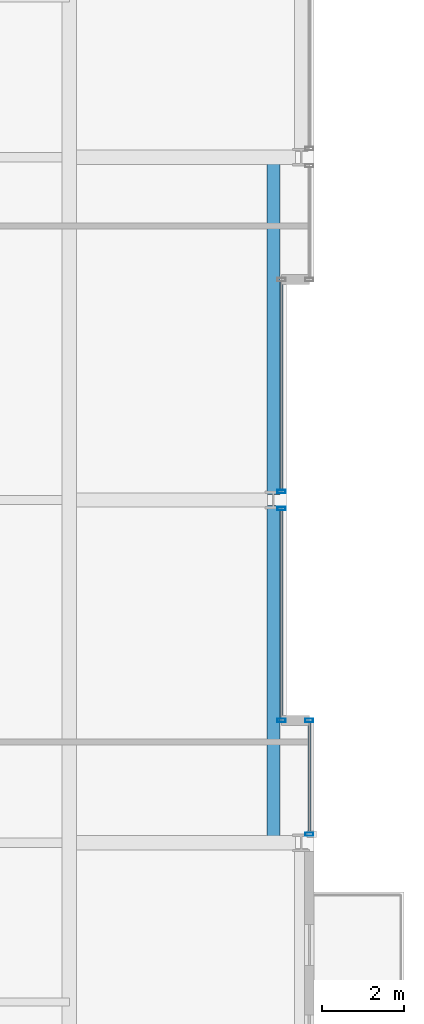
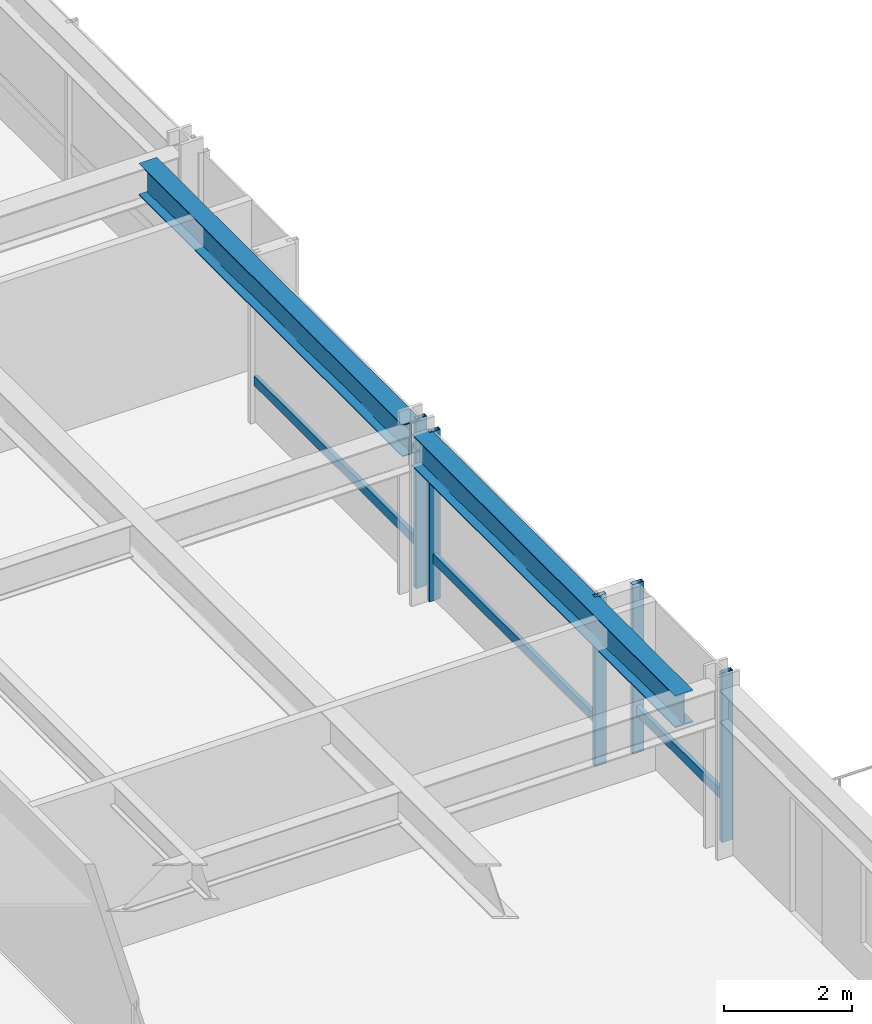
# One storey, part 15 of 33: 8 members, 2 beams, 3 elements without a shape of their own.
"""IFC4 building model written with IfcOpenShell, lengths in metres."""

from ifc_helpers import new_model, si_unit, direction, frame, origin, origin_2d, place, context, subcontext, project, spatial, hollow_rectangle, i_section, extrude, material, layer, layer_set, material_profile, profile_set, type_object, element, aggregate, save


model = new_model("IFC4")

# Units and contexts
model_context = context("Model", 3, precision=1e-05, world=origin(), true_north=direction((0.0, 1.0)))
body_context = subcontext(model_context, "Body", "Model", "MODEL_VIEW")
ifc_project = project(units=[si_unit("LENGTHUNIT", "METRE"), si_unit("AREAUNIT", "SQUARE_METRE"), si_unit("VOLUMEUNIT", "CUBIC_METRE"), si_unit("PLANEANGLEUNIT", "RADIAN"), si_unit("MASSUNIT", "GRAM", prefix="KILO")], contexts=[model_context])

# Site, building, storey
site_placement = place(None, origin())
site = spatial("IfcSite", under=ifc_project, at=site_placement, CompositionType="ELEMENT")
building_placement = place(site_placement, origin())
building = spatial("IfcBuilding", under=site, at=building_placement, Name="Drelvath Grand Hotel", CompositionType="ELEMENT")
storey_placement = place(building_placement, frame((0.0, 0.0, 119.800048828125)))
storey = spatial("IfcBuildingStorey", under=building, at=storey_placement, Name="L30", CompositionType="ELEMENT", Elevation=119.800048828125)

# Curtain wall, member
ifc_material_1 = material(Name="Champagne Bronze Anodised Aluminium Frame", Category="aluminium")
ifc_layer = layer(ifc_material_1, 0.199951171875)
ifc_layer_set = layer_set([ifc_layer], Name="Champagne Bronze Anodised Aluminium Frame")
curtain_wall_type = type_object("IfcCurtainWallType", Name="Stick Curtain Wall CW-03 Champagne Bronze Mid-Rise", PredefinedType="NOTDEFINED", material=ifc_layer_set)
curtain_wall_1_placement = place(storey_placement, origin())
curtain_wall_1 = element("IfcCurtainWall", 1, at=curtain_wall_1_placement, inside=storey, type_object=curtain_wall_type, Name="L30 CW-03 Curtain Wall CW03-L30-EM1", PredefinedType="NOTDEFINED")
ifc_material_profile_1 = material_profile(ifc_material_1, hollow_rectangle(XDim=0.074951171875, YDim=0.179931640625, WallThickness=0.0048828125, at=origin_2d()), Name="HSS180X75X5")
ifc_profile_set_1 = profile_set([ifc_material_profile_1], Name="Champagne Bronze Anodised Aluminium Frame")
member_type_1 = type_object("IfcMemberType", Name="Curtain Wall Horizontal Transom CW-03 HSS180X75X5", PredefinedType="USERDEFINED", material=ifc_profile_set_1)
member_1_placement = place(storey_placement, frame((21.39990234375, 26.75048828125, 0.81005859375), z_axis=(0.0, -1.0, 0.0), x_axis=(1.0, 0.0, 0.0)))
member_1 = element("IfcMember", 2, at=member_1_placement, type_object=member_type_1, Name="CW03-L30-EM1 Sill Transom", ObjectType="TRANSOM", PredefinedType="USERDEFINED", context=body_context, shape_type="SweptSolid", body=[
    extrude(hollow_rectangle(XDim=0.074951171875, YDim=0.179931640625, WallThickness=0.0048828125, at=origin_2d()), origin(), (0.0, 0.0, 1.0), 5.110595703125),
])

curtain_wall_2_placement = place(storey_placement, origin())
curtain_wall_2 = element("IfcCurtainWall", 3, at=curtain_wall_2_placement, inside=storey, type_object=curtain_wall_type, Name="L30 CW-03 Curtain Wall CW03-L30-EM2", PredefinedType="NOTDEFINED")
member_2_placement = place(storey_placement, frame((21.39990234375, 32.360107421875, 0.81005859375), z_axis=(0.0, -1.0, 0.0), x_axis=(1.0, 0.0, 0.0)))
member_2 = element("IfcMember", 4, at=member_2_placement, type_object=member_type_1, Name="CW03-L30-EM2 Sill Transom", ObjectType="TRANSOM", PredefinedType="USERDEFINED", context=body_context, shape_type="SweptSolid", body=[
    extrude(hollow_rectangle(XDim=0.074951171875, YDim=0.179931640625, WallThickness=0.0048828125, at=origin_2d()), origin(), (0.0, 0.0, 1.0), 5.110595703125),
])

curtain_wall_3_placement = place(storey_placement, origin())
curtain_wall_3 = element("IfcCurtainWall", 5, at=curtain_wall_3_placement, inside=storey, type_object=curtain_wall_type, Name="L30 CW-03 Curtain Wall CW03-L30-ES3", PredefinedType="NOTDEFINED")
member_3_placement = place(storey_placement, frame((22.080078125, 21.56005859375, 0.81005859375), z_axis=(0.0, -1.0, 0.0), x_axis=(1.0, 0.0, 0.0)))
member_3 = element("IfcMember", 6, at=member_3_placement, type_object=member_type_1, Name="CW03-L30-ES3 Sill Transom", ObjectType="TRANSOM", PredefinedType="USERDEFINED", context=body_context, shape_type="SweptSolid", body=[
    extrude(hollow_rectangle(XDim=0.074951171875, YDim=0.179931640625, WallThickness=0.0048828125, at=origin_2d()), origin(), (0.0, 0.0, 1.0), 2.710693359375),
])

# Member
ifc_material_profile_2 = material_profile(ifc_material_1, hollow_rectangle(XDim=0.080078125, YDim=0.199951171875, WallThickness=0.0048828125, at=origin_2d()), Name="HSS200X80X5")
ifc_profile_set_2 = profile_set([ifc_material_profile_2], Name="Champagne Bronze Anodised Aluminium Frame")
member_type_2 = type_object("IfcMemberType", Name="Curtain Wall Vertical Mullion CW-03 HSS200X80X5", PredefinedType="MULLION", material=ifc_profile_set_2)
member_4_placement = place(storey_placement, frame((21.39990234375, 26.79052734375, 0.0), z_axis=(0.0, 0.0, 1.0), x_axis=(0.0, 1.0, 0.0)))
member_4 = element("IfcMember", 7, at=member_4_placement, type_object=member_type_2, Name="CW03-L30-EM1 Mullion 1", PredefinedType="MULLION", context=body_context, shape_type="SweptSolid", body=[
    extrude(hollow_rectangle(XDim=0.080078125, YDim=0.199951171875, WallThickness=0.0048828125, at=origin_2d()), origin(), (0.0, 0.0, 1.0), 3.239990234375),
])

member_5_placement = place(storey_placement, frame((21.39990234375, 21.60009765625, 0.0), z_axis=(0.0, 0.0, 1.0), x_axis=(0.0, 1.0, 0.0)))
member_5 = element("IfcMember", 8, at=member_5_placement, type_object=member_type_2, Name="CW03-L30-EM1 Mullion 2", PredefinedType="MULLION", context=body_context, shape_type="SweptSolid", body=[
    extrude(hollow_rectangle(XDim=0.080078125, YDim=0.199951171875, WallThickness=0.0048828125, at=origin_2d()), origin(), (0.0, 0.0, 1.0), 3.239990234375),
])

aggregate(curtain_wall_1, [member_4, member_5, member_1])

member_6_placement = place(storey_placement, frame((21.39990234375, 27.20947265625, 0.0), z_axis=(0.0, 0.0, 1.0), x_axis=(0.0, 1.0, 0.0)))
member_6 = element("IfcMember", 9, at=member_6_placement, type_object=member_type_2, Name="CW03-L30-EM2 Mullion 2", PredefinedType="MULLION", context=body_context, shape_type="SweptSolid", body=[
    extrude(hollow_rectangle(XDim=0.080078125, YDim=0.199951171875, WallThickness=0.0048828125, at=origin_2d()), origin(), (0.0, 0.0, 1.0), 3.239990234375),
])

aggregate(curtain_wall_2, [member_6, member_2])

member_7_placement = place(storey_placement, frame((22.080078125, 21.60009765625, 0.0), z_axis=(0.0, 0.0, 1.0), x_axis=(0.0, 1.0, 0.0)))
member_7 = element("IfcMember", 10, at=member_7_placement, type_object=member_type_2, Name="CW03-L30-ES3 Mullion 1", PredefinedType="MULLION", context=body_context, shape_type="SweptSolid", body=[
    extrude(hollow_rectangle(XDim=0.080078125, YDim=0.199951171875, WallThickness=0.0048828125, at=origin_2d()), origin(), (0.0, 0.0, 1.0), 3.239990234375),
])

member_8_placement = place(storey_placement, frame((22.080078125, 18.809326171875, 0.0), z_axis=(0.0, 0.0, 1.0), x_axis=(0.0, 1.0, 0.0)))
member_8 = element("IfcMember", 11, at=member_8_placement, type_object=member_type_2, Name="CW03-L30-ES3 Mullion 2", PredefinedType="MULLION", context=body_context, shape_type="SweptSolid", body=[
    extrude(hollow_rectangle(XDim=0.080078125, YDim=0.199951171875, WallThickness=0.0048828125, at=origin_2d()), origin(), (0.0, 0.0, 1.0), 3.239990234375),
])

aggregate(curtain_wall_3, [member_7, member_8, member_3])

# Beams
ifc_material_2 = material(Name="Steel ASTM A992 Gr 50", Category="steel")
ifc_material_profile_3 = material_profile(ifc_material_2, i_section(OverallWidth=0.323974609375, OverallDepth=0.611083984375, WebThickness=0.0126953125, FlangeThickness=0.01904296875, FilletRadius=0.02197265625, at=origin_2d()), Name="W24X104")
ifc_profile_set_3 = profile_set([ifc_material_profile_3], Name="Steel ASTM A992 Gr 50")
beam_type = type_object("IfcBeamType", Name="Perimeter Spandrel Beam W24X104", PredefinedType="SPANDREL", material=ifc_profile_set_3)
for number, where, z_axis, x_axis, name in (
    (12, (21.199951171875, 18.60009765625, 2.9345703125), (0.0, 1.0, 0.0), (-1.0, 0.0, 0.0), "L30 Spandrel East Mid S"),
    (13, (21.199951171875, 27.139892578125, 2.9345703125), (0.0, 1.0, 0.0), (-1.0, 0.0, 0.0), "L30 Spandrel East Mid N"),
):
    element("IfcBeam", number, at=place(storey_placement, frame(where, z_axis=z_axis, x_axis=x_axis)), inside=storey, type_object=beam_type, Name=name, PredefinedType="SPANDREL", context=body_context, shape_type="SweptSolid", body=[
        extrude(i_section(OverallWidth=0.323974609375, OverallDepth=0.611083984375, WebThickness=0.0126953125, FlangeThickness=0.01904296875, FilletRadius=0.02197265625, at=origin_2d()), origin(), (0.0, 0.0, 1.0), 8.260009765625),
    ])

save(model, "model.ifc")
